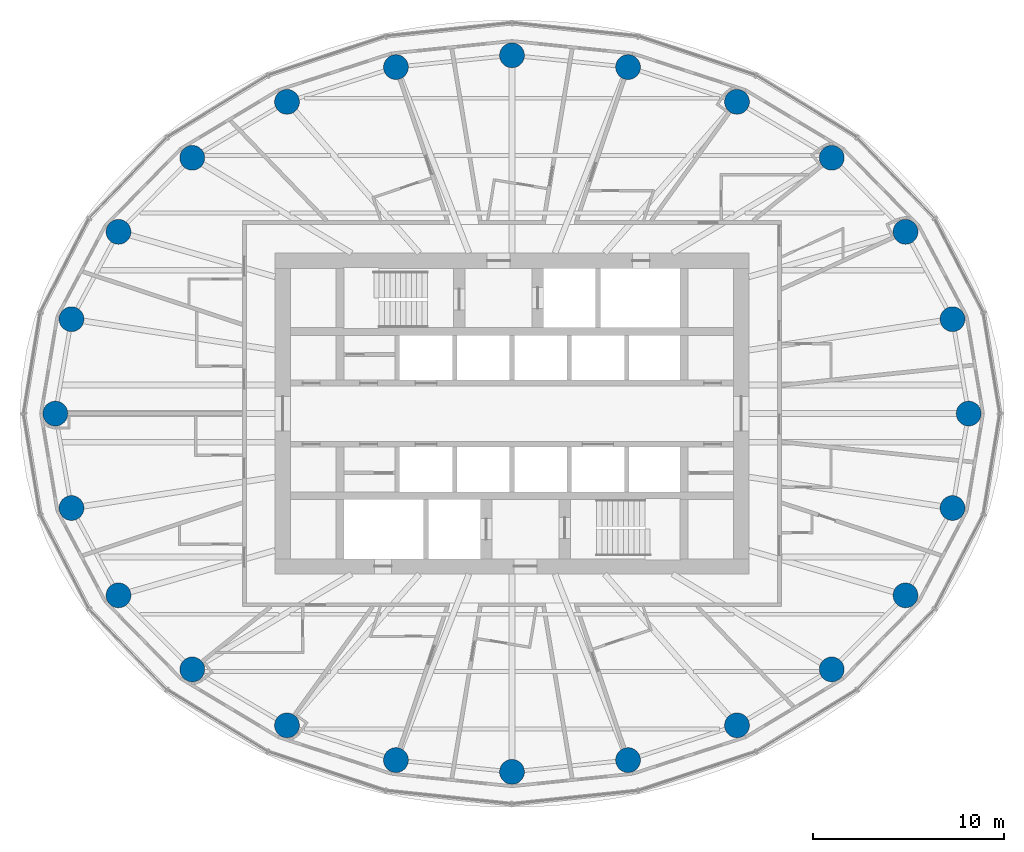
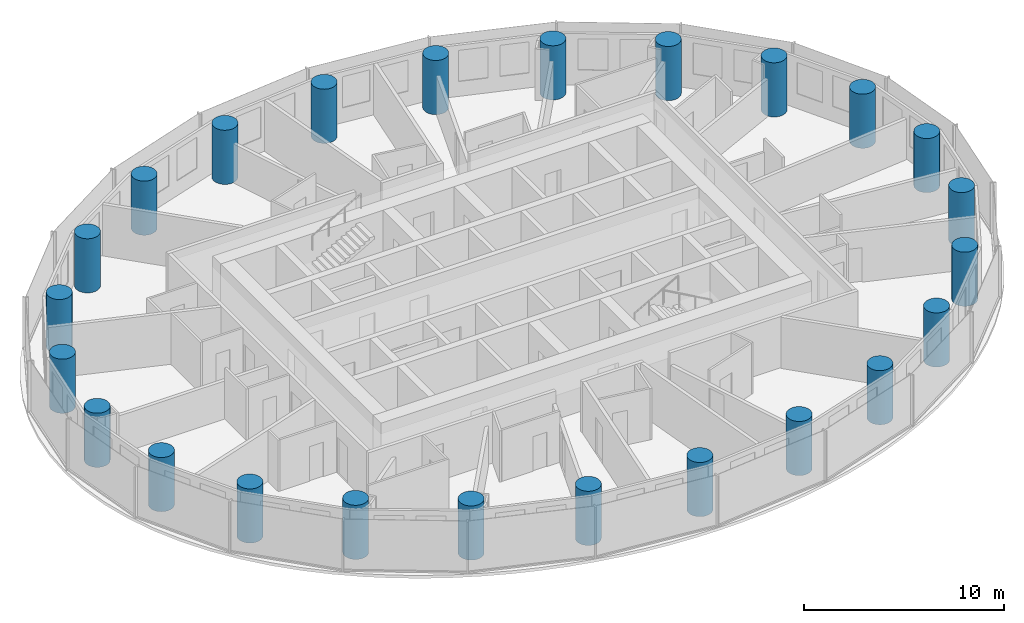
# One storey, part 1 of 13: 24 columns.
"""IFC4 building model written with IfcOpenShell, lengths in metres."""

from ifc_helpers import new_model, si_unit, direction, frame, origin, origin_2d, place, context, subcontext, project, spatial, circle, extrude, material, material_profile, profile_set, type_object, element, save


model = new_model("IFC4")

# Units and contexts
model_context = context("Model", 3, precision=1e-05, world=origin(), true_north=direction((0.0, 1.0)))
body_context = subcontext(model_context, "Body", "Model", "MODEL_VIEW")
ifc_project = project(units=[si_unit("LENGTHUNIT", "METRE"), si_unit("AREAUNIT", "SQUARE_METRE"), si_unit("VOLUMEUNIT", "CUBIC_METRE"), si_unit("PLANEANGLEUNIT", "RADIAN"), si_unit("MASSUNIT", "GRAM", prefix="KILO")], contexts=[model_context])

# Site, building, storey
site_placement = place(None, origin())
site = spatial("IfcSite", under=ifc_project, at=site_placement, CompositionType="ELEMENT")
building_placement = place(site_placement, origin())
building = spatial("IfcBuilding", under=site, at=building_placement, Name="Hankou Lantern Tower", CompositionType="ELEMENT")
storey_placement = place(building_placement, frame((0.0, 0.0, 118.800048828125)))
storey = spatial("IfcBuildingStorey", under=building, at=storey_placement, Name="L30", CompositionType="ELEMENT", Elevation=118.800048828125)

# Columns
ifc_material = material(Name="Concrete C60", Category="concrete")
ifc_material_profile = material_profile(ifc_material, circle(Radius=0.64990234375, at=origin_2d()), Name="RC D1300")
ifc_profile_set = profile_set([ifc_material_profile], Name="Concrete C60")
column_type = type_object("IfcColumnType", Name="TC3 PERIMETER COLUMN RC D1300", PredefinedType="COLUMN", material=ifc_profile_set)
for number, where, z_axis, x_axis, name in (
    (1, (23.89990234375, 0.0, 0.0), (0.0, 0.0, 1.0), (1.0, 0.0, 0.0), "Column R01 L30"),
    (2, (23.054931640625, 4.942138671875, 0.0), (0.0, 0.0, 1.0), (1.0, 0.0, 0.0), "Column R02 L30"),
    (3, (20.595703125, 9.5126953125, 0.0), (0.0, 0.0, 1.0), (1.0, 0.0, 0.0), "Column R03 L30"),
    (4, (16.73388671875, 13.38720703125, 0.0), (0.0, 0.0, 1.0), (1.0, 0.0, 0.0), "Column R04 L30"),
    (5, (11.775390625, 16.31640625, 0.0), (0.0, 0.0, 1.0), (1.0, 0.0, 0.0), "Column R05 L30"),
    (6, (6.073974609375, 18.134521484375, 0.0), (0.0, 0.0, 1.0), (1.0, 0.0, 0.0), "Column R06 L30"),
    (7, (0.0, 18.75, 0.0), (0.0, 0.0, 1.0), (1.0, 0.0, 0.0), "Column R07 L30"),
    (8, (-6.073974609375, 18.134521484375, 0.0), (0.0, 0.0, 1.0), (1.0, 0.0, 0.0), "Column R08 L30"),
    (9, (-11.775390625, 16.31640625, 0.0), (0.0, 0.0, 1.0), (1.0, 0.0, 0.0), "Column R09 L30"),
    (10, (-16.73388671875, 13.38720703125, 0.0), (0.0, 0.0, 1.0), (1.0, 0.0, 0.0), "Column R10 L30"),
    (11, (-20.595703125, 9.5126953125, 0.0), (0.0, 0.0, 1.0), (1.0, 0.0, 0.0), "Column R11 L30"),
    (12, (-23.054931640625, 4.942138671875, 0.0), (0.0, 0.0, 1.0), (1.0, 0.0, 0.0), "Column R12 L30"),
    (13, (-23.89990234375, 0.0, 0.0), (0.0, 0.0, 1.0), (1.0, 0.0, 0.0), "Column R13 L30"),
    (14, (-23.054931640625, -4.942138671875, 0.0), (0.0, 0.0, 1.0), (1.0, 0.0, 0.0), "Column R14 L30"),
    (15, (-20.595703125, -9.5126953125, 0.0), (0.0, 0.0, 1.0), (1.0, 0.0, 0.0), "Column R15 L30"),
    (16, (-16.73388671875, -13.38720703125, 0.0), (0.0, 0.0, 1.0), (1.0, 0.0, 0.0), "Column R16 L30"),
    (17, (-11.775390625, -16.31640625, 0.0), (0.0, 0.0, 1.0), (1.0, 0.0, 0.0), "Column R17 L30"),
    (18, (-6.073974609375, -18.134521484375, 0.0), (0.0, 0.0, 1.0), (1.0, 0.0, 0.0), "Column R18 L30"),
    (19, (0.0, -18.75, 0.0), (0.0, 0.0, 1.0), (1.0, 0.0, 0.0), "Column R19 L30"),
    (20, (6.073974609375, -18.134521484375, 0.0), (0.0, 0.0, 1.0), (1.0, 0.0, 0.0), "Column R20 L30"),
    (21, (11.775390625, -16.31640625, 0.0), (0.0, 0.0, 1.0), (1.0, 0.0, 0.0), "Column R21 L30"),
    (22, (16.73388671875, -13.38720703125, 0.0), (0.0, 0.0, 1.0), (1.0, 0.0, 0.0), "Column R22 L30"),
    (23, (20.595703125, -9.5126953125, 0.0), (0.0, 0.0, 1.0), (1.0, 0.0, 0.0), "Column R23 L30"),
    (24, (23.054931640625, -4.942138671875, 0.0), (0.0, 0.0, 1.0), (1.0, 0.0, 0.0), "Column R24 L30"),
):
    element("IfcColumn", number, at=place(storey_placement, frame(where, z_axis=z_axis, x_axis=x_axis)), inside=storey, type_object=column_type, Name=name, PredefinedType="COLUMN", context=body_context, shape_type="SweptSolid", body=[
        extrude(circle(Radius=0.64990234375, at=origin_2d()), origin(), (0.0, 0.0, 1.0), 3.300048828125),
    ])

save(model, "model.ifc")
